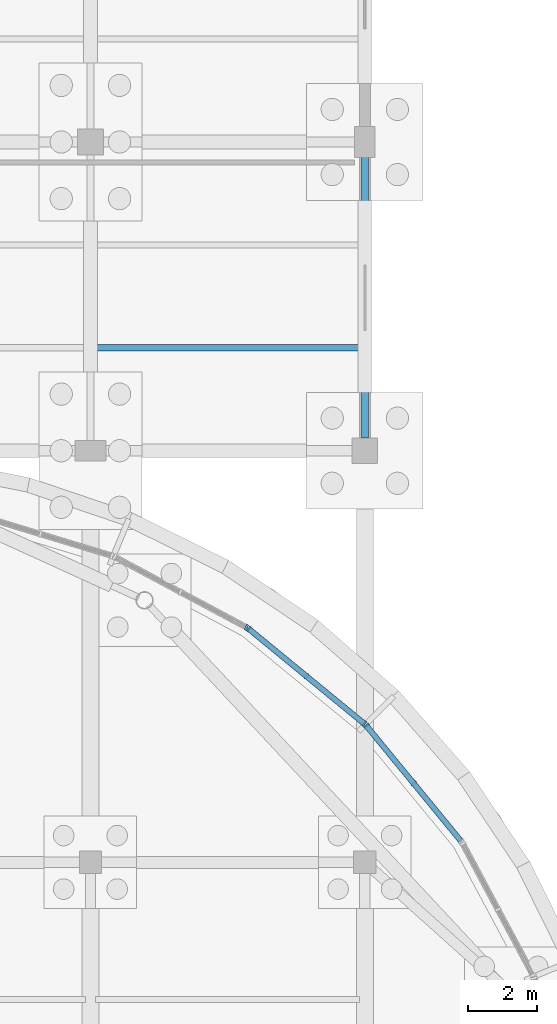
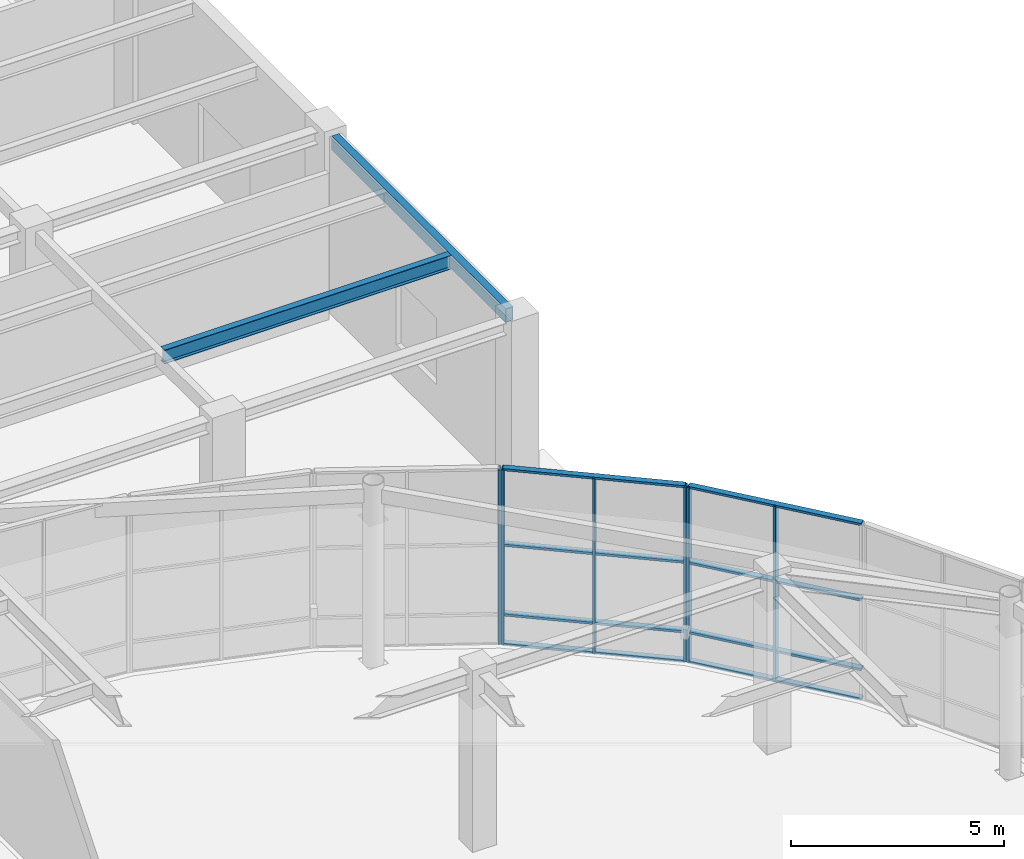
# One storey, part 48 of 85: 14 members, 2 beams, 3 elements without a shape of their own.
"""IFC4 building model written with IfcOpenShell, lengths in metres."""

from ifc_helpers import new_model, si_unit, direction, frame, origin, origin_2d, place, context, subcontext, project, spatial, rectangle, hollow_rectangle, i_section, extrude, material, layer, layer_set, material_profile, profile_set, type_object, element, aggregate, save


model = new_model("IFC4")

# Units and contexts
model_context = context("Model", 3, precision=1e-05, world=origin(), true_north=direction((0.0, 1.0)))
body_context = subcontext(model_context, "Body", "Model", "MODEL_VIEW")
ifc_project = project(units=[si_unit("LENGTHUNIT", "METRE"), si_unit("AREAUNIT", "SQUARE_METRE"), si_unit("VOLUMEUNIT", "CUBIC_METRE"), si_unit("PLANEANGLEUNIT", "RADIAN"), si_unit("MASSUNIT", "GRAM", prefix="KILO")], contexts=[model_context])

# Site, building, storey
site_placement = place(None, origin())
site = spatial("IfcSite", under=ifc_project, at=site_placement, CompositionType="ELEMENT")
building_placement = place(site_placement, origin())
building = spatial("IfcBuilding", under=site, at=building_placement, Name="Keelwater Ferry Terminal", CompositionType="ELEMENT")
storey_placement = place(building_placement, origin())
storey = spatial("IfcBuildingStorey", under=building, at=storey_placement, Name="L00", CompositionType="ELEMENT", Elevation=0.0)

# Curtain wall, members
ifc_material_1 = material(Name="Thermally broken unitised aluminium and triple glass", Category="aluminium")
ifc_layer = layer(ifc_material_1, 0.179931640625)
ifc_layer_set = layer_set([ifc_layer], Name="Thermally broken unitised aluminium and triple glass")
curtain_wall_type = type_object("IfcCurtainWallType", Name="CW-17 Unitised Curtain Wall 4350x5020", PredefinedType="USERDEFINED", material=ifc_layer_set)
curtain_wall_1_placement = place(storey_placement, origin())
curtain_wall_1 = element("IfcCurtainWall", 1, at=curtain_wall_1_placement, inside=storey, type_object=curtain_wall_type, Name="Unitised Curtain Wall CW-L00-104", ObjectType="UNITISED CURTAIN WALL", PredefinedType="USERDEFINED")
ifc_material_2 = material(Name="Aluminium mullion", Category="aluminium")
ifc_material_profile_1 = material_profile(ifc_material_2, rectangle(XDim=0.06494140625, YDim=0.179931640625, at=origin_2d()), Name="CWM-01")
ifc_profile_set_1 = profile_set([ifc_material_profile_1], Name="Aluminium mullion")
member_type_1 = type_object("IfcMemberType", Name="CWM-01 Curtain Mullion 65x180", PredefinedType="MULLION", material=ifc_profile_set_1)
member_1_placement = place(storey_placement, frame((181.424560546875, 80.300048828125, 0.0), z_axis=(0.0, 0.0, 1.0), x_axis=(-0.634376508991, 0.773024220086, 0.0)))
member_1 = element("IfcMember", 2, at=member_1_placement, type_object=member_type_1, Name="CW-L00-104 Mullion 2", PredefinedType="MULLION", context=body_context, shape_type="SweptSolid", body=[
    extrude(rectangle(XDim=0.06494140625, YDim=0.179931640625, at=origin_2d()), origin(), (0.0, 0.0, 1.0), 5.02001953125),
])
member_2_placement = place(storey_placement, frame((180.044921875, 81.98095703125, 0.0), z_axis=(0.0, 0.0, 1.0), x_axis=(-0.634376508991, 0.773024220086, 0.0)))
member_2 = element("IfcMember", 3, at=member_2_placement, type_object=member_type_1, Name="CW-L00-104 Mullion 3", PredefinedType="MULLION", context=body_context, shape_type="SweptSolid", body=[
    extrude(rectangle(XDim=0.06494140625, YDim=0.179931640625, at=origin_2d()), origin(), (0.0, 0.0, 1.0), 5.02001953125),
])

curtain_wall_2_placement = place(storey_placement, origin())
curtain_wall_2 = element("IfcCurtainWall", 4, at=curtain_wall_2_placement, inside=storey, type_object=curtain_wall_type, Name="Unitised Curtain Wall CW-L00-105", ObjectType="UNITISED CURTAIN WALL", PredefinedType="USERDEFINED")
member_3_placement = place(storey_placement, frame((179.98095703125, 82.044921875, 0.0), z_axis=(0.0, 0.0, 1.0), x_axis=(-0.773024220086, 0.634376508991, 0.0)))
member_3 = element("IfcMember", 5, at=member_3_placement, type_object=member_type_1, Name="CW-L00-105 Mullion 1", PredefinedType="MULLION", context=body_context, shape_type="SweptSolid", body=[
    extrude(rectangle(XDim=0.06494140625, YDim=0.179931640625, at=origin_2d()), origin(), (0.0, 0.0, 1.0), 5.02001953125),
])
member_4_placement = place(storey_placement, frame((178.300048828125, 83.424560546875, 0.0), z_axis=(0.0, 0.0, 1.0), x_axis=(-0.773024220086, 0.634376508991, 0.0)))
member_4 = element("IfcMember", 6, at=member_4_placement, type_object=member_type_1, Name="CW-L00-105 Mullion 2", PredefinedType="MULLION", context=body_context, shape_type="SweptSolid", body=[
    extrude(rectangle(XDim=0.06494140625, YDim=0.179931640625, at=origin_2d()), origin(), (0.0, 0.0, 1.0), 5.02001953125),
])
member_5_placement = place(storey_placement, frame((176.618896484375, 84.803955078125, 0.0), z_axis=(0.0, 0.0, 1.0), x_axis=(-0.773024220086, 0.634376508991, 0.0)))
member_5 = element("IfcMember", 7, at=member_5_placement, type_object=member_type_1, Name="CW-L00-105 Mullion 3", PredefinedType="MULLION", context=body_context, shape_type="SweptSolid", body=[
    extrude(rectangle(XDim=0.06494140625, YDim=0.179931640625, at=origin_2d()), origin(), (0.0, 0.0, 1.0), 5.02001953125),
])

# Curtain wall, member
curtain_wall_3_placement = place(storey_placement, origin())
curtain_wall_3 = element("IfcCurtainWall", 8, at=curtain_wall_3_placement, inside=storey, type_object=curtain_wall_type, Name="Unitised Curtain Wall CW-L00-106", ObjectType="UNITISED CURTAIN WALL", PredefinedType="USERDEFINED")
member_6_placement = place(storey_placement, frame((176.5439453125, 84.85400390625, 0.0), z_axis=(0.0, 0.0, 1.0), x_axis=(-0.881862452632, 0.471506749303, 0.0)))
member_6 = element("IfcMember", 9, at=member_6_placement, type_object=member_type_1, Name="CW-L00-106 Mullion 1", PredefinedType="MULLION", context=body_context, shape_type="SweptSolid", body=[
    extrude(rectangle(XDim=0.06494140625, YDim=0.179931640625, at=origin_2d()), origin(), (0.0, 0.0, 1.0), 5.02001953125),
])
aggregate(curtain_wall_3, [member_6])

# Member
ifc_material_3 = material(Name="Aluminium mullion", Category="aluminium")
ifc_material_profile_2 = material_profile(ifc_material_3, rectangle(XDim=0.159912109375, YDim=0.06494140625, at=origin_2d()), Name="CWT-01")
ifc_profile_set_2 = profile_set([ifc_material_profile_2], Name="Aluminium mullion")
member_type_2 = type_object("IfcMemberType", Name="CWT-01 Curtain Transom 65x160", PredefinedType="USERDEFINED", material=ifc_profile_set_2)
member_7_placement = place(storey_placement, frame((182.803955078125, 78.618896484375, 0.0), z_axis=(-0.634374244118, 0.773026078732, 0.0), x_axis=(-0.773026078732, -0.634374244118, 0.0)))
member_7 = element("IfcMember", 10, at=member_7_placement, type_object=member_type_2, Name="CW-L00-104 Transom 1", ObjectType="TRANSOM", PredefinedType="USERDEFINED", context=body_context, shape_type="SweptSolid", body=[
    extrude(rectangle(XDim=0.159912109375, YDim=0.06494140625, at=origin_2d()), origin(), (0.0, 0.0, 1.0), 4.34912109375),
])

member_8_placement = place(storey_placement, frame((182.803955078125, 78.618896484375, 0.85009765625), z_axis=(-0.634374244118, 0.773026078732, 0.0), x_axis=(-0.773026078732, -0.634374244118, 0.0)))
member_8 = element("IfcMember", 11, at=member_8_placement, type_object=member_type_2, Name="CW-L00-104 Transom 2", ObjectType="TRANSOM", PredefinedType="USERDEFINED", context=body_context, shape_type="SweptSolid", body=[
    extrude(rectangle(XDim=0.159912109375, YDim=0.06494140625, at=origin_2d()), origin(), (0.0, 0.0, 1.0), 4.34912109375),
])

member_9_placement = place(storey_placement, frame((182.803955078125, 78.618896484375, 2.85009765625), z_axis=(-0.634374244118, 0.773026078732, 0.0), x_axis=(-0.773026078732, -0.634374244118, 0.0)))
member_9 = element("IfcMember", 12, at=member_9_placement, type_object=member_type_2, Name="CW-L00-104 Transom 3", ObjectType="TRANSOM", PredefinedType="USERDEFINED", context=body_context, shape_type="SweptSolid", body=[
    extrude(rectangle(XDim=0.159912109375, YDim=0.06494140625, at=origin_2d()), origin(), (0.0, 0.0, 1.0), 4.34912109375),
])

member_10_placement = place(storey_placement, frame((182.803955078125, 78.618896484375, 5.02001953125), z_axis=(-0.634374244118, 0.773026078732, 0.0), x_axis=(-0.773026078732, -0.634374244118, 0.0)))
member_10 = element("IfcMember", 13, at=member_10_placement, type_object=member_type_2, Name="CW-L00-104 Transom 4", ObjectType="TRANSOM", PredefinedType="USERDEFINED", context=body_context, shape_type="SweptSolid", body=[
    extrude(rectangle(XDim=0.159912109375, YDim=0.06494140625, at=origin_2d()), origin(), (0.0, 0.0, 1.0), 4.34912109375),
])

aggregate(curtain_wall_1, [member_1, member_2, member_7, member_8, member_9, member_10])

member_11_placement = place(storey_placement, frame((179.98095703125, 82.044921875, 0.0), z_axis=(-0.773026078732, 0.634374244118, 0.0), x_axis=(-0.634374244118, -0.773026078732, 0.0)))
member_11 = element("IfcMember", 14, at=member_11_placement, type_object=member_type_2, Name="CW-L00-105 Transom 1", ObjectType="TRANSOM", PredefinedType="USERDEFINED", context=body_context, shape_type="SweptSolid", body=[
    extrude(rectangle(XDim=0.159912109375, YDim=0.06494140625, at=origin_2d()), origin(), (0.0, 0.0, 1.0), 4.34912109375),
])

member_12_placement = place(storey_placement, frame((179.98095703125, 82.044921875, 0.85009765625), z_axis=(-0.773026078732, 0.634374244118, 0.0), x_axis=(-0.634374244118, -0.773026078732, 0.0)))
member_12 = element("IfcMember", 15, at=member_12_placement, type_object=member_type_2, Name="CW-L00-105 Transom 2", ObjectType="TRANSOM", PredefinedType="USERDEFINED", context=body_context, shape_type="SweptSolid", body=[
    extrude(rectangle(XDim=0.159912109375, YDim=0.06494140625, at=origin_2d()), origin(), (0.0, 0.0, 1.0), 4.34912109375),
])

member_13_placement = place(storey_placement, frame((179.98095703125, 82.044921875, 2.85009765625), z_axis=(-0.773026078732, 0.634374244118, 0.0), x_axis=(-0.634374244118, -0.773026078732, 0.0)))
member_13 = element("IfcMember", 16, at=member_13_placement, type_object=member_type_2, Name="CW-L00-105 Transom 3", ObjectType="TRANSOM", PredefinedType="USERDEFINED", context=body_context, shape_type="SweptSolid", body=[
    extrude(rectangle(XDim=0.159912109375, YDim=0.06494140625, at=origin_2d()), origin(), (0.0, 0.0, 1.0), 4.34912109375),
])

member_14_placement = place(storey_placement, frame((179.98095703125, 82.044921875, 5.02001953125), z_axis=(-0.773026078732, 0.634374244118, 0.0), x_axis=(-0.634374244118, -0.773026078732, 0.0)))
member_14 = element("IfcMember", 17, at=member_14_placement, type_object=member_type_2, Name="CW-L00-105 Transom 4", ObjectType="TRANSOM", PredefinedType="USERDEFINED", context=body_context, shape_type="SweptSolid", body=[
    extrude(rectangle(XDim=0.159912109375, YDim=0.06494140625, at=origin_2d()), origin(), (0.0, 0.0, 1.0), 4.34912109375),
])

aggregate(curtain_wall_2, [member_3, member_4, member_5, member_11, member_12, member_13, member_14])

# Beams
ifc_material_4 = material(Name="Steel S355", Category="steel")
ifc_material_profile_3 = material_profile(ifc_material_4, i_section(OverallWidth=0.179931640625, OverallDepth=0.39990234375, WebThickness=0.008544921875, FlangeThickness=0.013427734375, at=origin_2d()), Name="IPE 400")
ifc_profile_set_3 = profile_set([ifc_material_profile_3], Name="Steel S355")
beam_type_1 = type_object("IfcBeamType", Name="J5 IPE 400", PredefinedType="JOIST", material=ifc_profile_set_3)
beam_1_placement = place(storey_placement, frame((172.10009765625, 93.0, 4.860107421875), z_axis=(1.0, 0.0, 0.0), x_axis=(0.0, 1.0, 0.0)))
element("IfcBeam", 18, at=beam_1_placement, inside=storey, type_object=beam_type_1, Name="Beam BM-L00-0577", PredefinedType="JOIST", context=body_context, shape_type="SweptSolid", body=[
    extrude(i_section(OverallWidth=0.179931640625, OverallDepth=0.39990234375, WebThickness=0.008544921875, FlangeThickness=0.013427734375, at=origin_2d()), origin(), (0.0, 0.0, 1.0), 7.7998046875),
])
ifc_material_5 = material(Name="Steel S355", Category="steel")
ifc_material_profile_4 = material_profile(ifc_material_5, hollow_rectangle(XDim=0.199951171875, YDim=0.39990234375, WallThickness=0.01611328125, at=origin_2d()), Name="RHS 400x200x16")
ifc_profile_set_4 = profile_set([ifc_material_profile_4], Name="Steel S355")
beam_type_2 = type_object("IfcBeamType", Name="SP3E RHS 400x200x16", PredefinedType="SPANDREL", material=ifc_profile_set_4)
beam_2_placement = place(storey_placement, frame((180.0, 90.367919921875, 4.860107421875), z_axis=(0.0, 1.0, 0.0), x_axis=(-1.0, 0.0, 0.0)))
element("IfcBeam", 19, at=beam_2_placement, inside=storey, type_object=beam_type_2, Name="Beam BM-L00-0300", PredefinedType="SPANDREL", context=body_context, shape_type="SweptSolid", body=[
    extrude(hollow_rectangle(XDim=0.199951171875, YDim=0.39990234375, WallThickness=0.01611328125, at=origin_2d()), origin(), (0.0, 0.0, 1.0), 8.191162109375),
])

save(model, "model.ifc")
